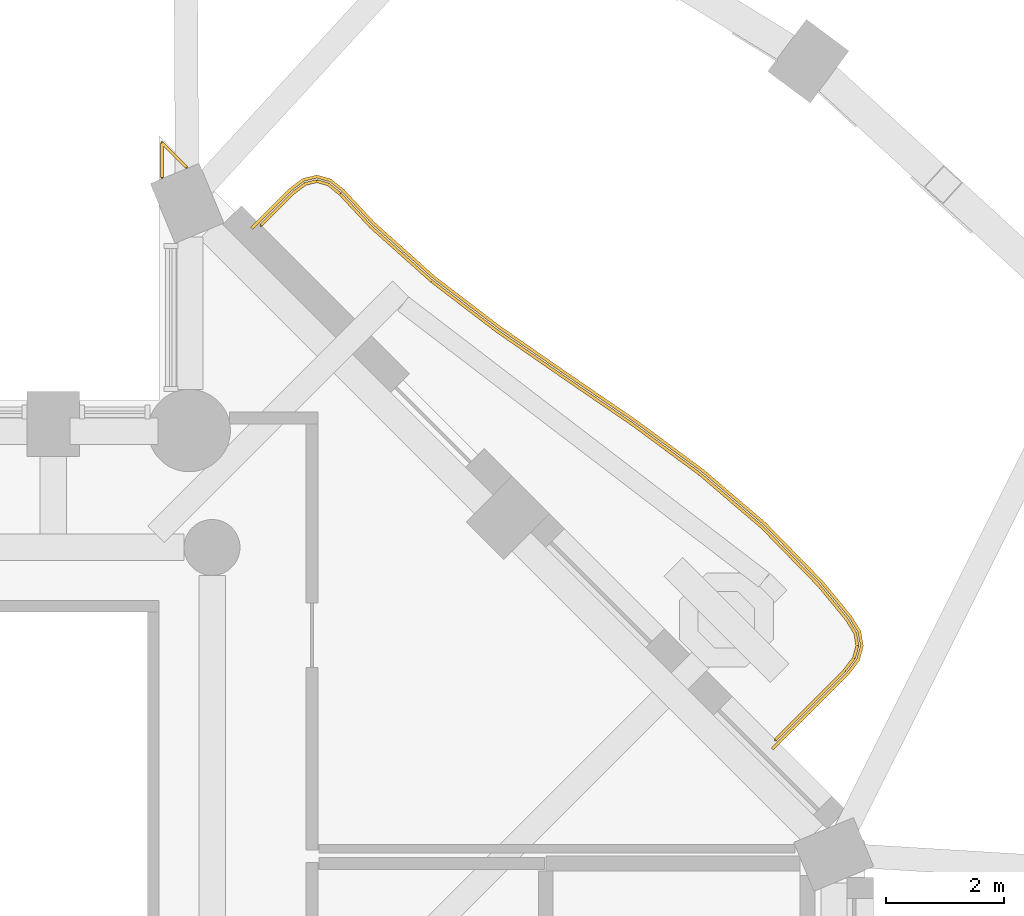
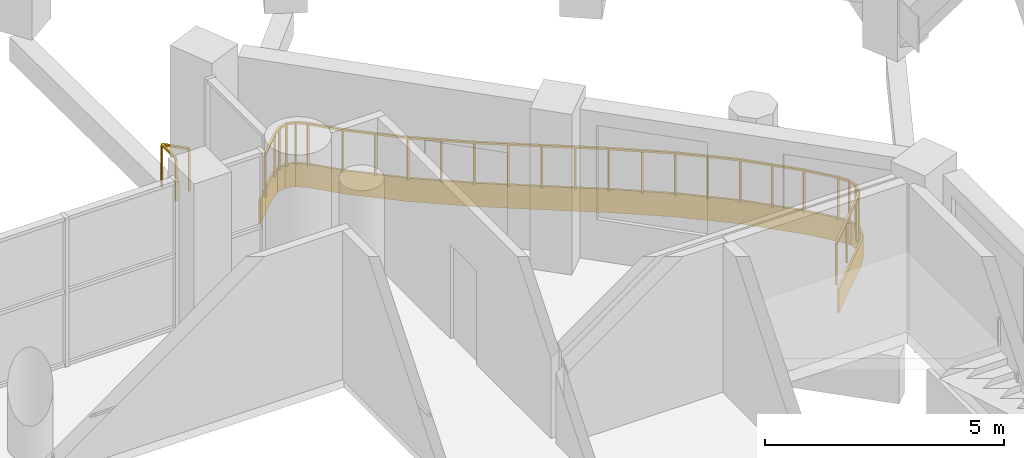
# One storey, part 16 of 17: 2 railings, 1 covering.
"""IFC4 building model written with IfcOpenShell, lengths in metres."""

from ifc_helpers import new_model, si_unit, direction, frame, origin, origin_2d, place, context, subcontext, project, spatial, polyline, rectangle, outline, extrude, material, layer, layer_set, type_object, element, save


model = new_model("IFC4")

# Units and contexts
model_context = context("Model", 3, precision=1e-05, world=origin(), true_north=direction((0.0, 1.0)))
body_context = subcontext(model_context, "Body", "Model", "MODEL_VIEW")
ifc_project = project(units=[si_unit("LENGTHUNIT", "METRE"), si_unit("AREAUNIT", "SQUARE_METRE"), si_unit("VOLUMEUNIT", "CUBIC_METRE"), si_unit("PLANEANGLEUNIT", "RADIAN"), si_unit("MASSUNIT", "GRAM", prefix="KILO")], contexts=[model_context])

# Site, building, storey
site_placement = place(None, origin())
site = spatial("IfcSite", under=ifc_project, at=site_placement, CompositionType="ELEMENT")
building_placement = place(site_placement, origin())
building = spatial("IfcBuilding", under=site, at=building_placement, Name="Cypress Arch Tower", CompositionType="ELEMENT")
storey_placement = place(building_placement, frame((0.0, 0.0, 217.89990234375)))
storey = spatial("IfcBuildingStorey", under=building, at=storey_placement, Name="L48", CompositionType="ELEMENT", Elevation=217.89990234375)

# Covering
ifc_material_1 = material(Name="White powder-coated aluminium fascia", Category="aluminium")
ifc_layer = layer(ifc_material_1, 0.050048828125)
ifc_layer_set = layer_set([ifc_layer], Name="Balcony fascia BF50")
covering_type = type_object("IfcCoveringType", Name="Balcony fascia BF50", PredefinedType="CLADDING", material=ifc_layer_set)
covering_placement = place(storey_placement, frame((0.0, 0.0, -0.599853515625)))
element("IfcCovering", 1, at=covering_placement, inside=storey, type_object=covering_type, Name="Balcony fascia L48-B05", PredefinedType="CLADDING", context=body_context, shape_type="SweptSolid", body=[
    extrude(outline(polyline([(10.3125, 16.10107421875), (10.543212890625, 16.27392578125), (10.783447265625, 16.331787109375), (11.021484375, 16.265625), (11.24609375, 16.0849609375), (11.76708984375, 15.5263671875), (12.798828125, 14.604248046875), (13.907470703125, 13.758056640625), (15.064208984375, 12.956787109375), (16.22802734375, 12.159912109375), (17.35693359375, 11.325439453125), (18.416259765625, 10.419677734375), (19.387939453125, 9.42578125), (19.87744140625, 8.829345703125), (20.030517578125, 8.578857421875), (20.0751953125, 8.323974609375), (20.005615234375, 8.07470703125), (19.828857421875, 7.840087890625), (18.545166015625, 6.556396484375), (18.509765625, 6.591796875), (19.791015625, 7.873046875), (19.9599609375, 8.09716796875), (20.02392578125, 8.326416015625), (19.98291015625, 8.560791015625), (19.836669921875, 8.80029296875), (19.350830078125, 9.392333984375), (18.382080078125, 10.38330078125), (17.32568359375, 11.286376953125), (16.198974609375, 12.119140625), (15.035888671875, 12.91552734375), (13.878173828125, 13.717529296875), (12.766845703125, 14.565673828125), (11.732177734375, 15.490478515625), (11.2119140625, 16.048095703125), (10.998291015625, 16.22021484375), (10.782470703125, 16.280029296875), (10.56494140625, 16.227783203125), (10.34521484375, 16.063232421875), (9.691650390625, 15.40966796875), (9.65625, 15.445068359375), (10.3125, 16.10107421875)])), origin(), (0.0, 0.0, 1.0), 0.599853515625),
])

# Railings
ifc_material_2 = material(Name="Powder-coated steel posts and rods, 100 mm clear between rods", Category="steel")
railing_type_1 = type_object("IfcRailingType", Name="Balcony guard GR1100", PredefinedType="GUARDRAIL", material=ifc_material_2)
railing_1_placement = place(storey_placement, frame((9.83251953125, 15.479736328125, 0.0)))
element("IfcRailing", 2, at=railing_1_placement, inside=storey, type_object=railing_type_1, Name="Balcony guard L48-B05", PredefinedType="GUARDRAIL", context=body_context, shape_type="SweptSolid", body=[
    extrude(rectangle(XDim=0.050048828125, YDim=0.050048828125, at=origin_2d()), frame((0.0, 0.0, 1.0751953125), z_axis=(0.707106781187, 0.707106781187, 0.0), x_axis=(-0.707106781187, 0.707106781187, 0.0)), (0.0, 0.0, 1.0), 0.771728515625),
    extrude(rectangle(XDim=0.050048828125, YDim=0.050048828125, at=origin_2d()), frame((0.545654296875, 0.545654296875, 1.0751953125), z_axis=(0.800224831347, 0.599700107801, 0.0), x_axis=(-0.599700107801, 0.800224831347, 0.0)), (0.0, 0.0, 1.0), 0.260498046875),
    extrude(rectangle(XDim=0.050048828125, YDim=0.050048828125, at=origin_2d()), frame((0.754150390625, 0.701904296875, 1.0751953125), z_axis=(0.972320985602, 0.233649097917, 0.0), x_axis=(-0.233649097917, 0.972320985602, 0.0)), (0.0, 0.0, 1.0), 0.20068359375),
    extrude(rectangle(XDim=0.050048828125, YDim=0.050048828125, at=origin_2d()), frame((0.94921875, 0.748779296875, 1.0751953125), z_axis=(0.96343060982, -0.267957944577, 0.0), x_axis=(0.267957944577, 0.96343060982, 0.0)), (0.0, 0.0, 1.0), 0.200439453125),
    extrude(rectangle(XDim=0.050048828125, YDim=0.050048828125, at=origin_2d()), frame((1.142333984375, 0.695068359375, 1.0751953125), z_axis=(0.778944678314, -0.627092647163, 0.0), x_axis=(0.627092647163, 0.778944678314, 0.0)), (0.0, 0.0, 1.0), 0.260498046875),
    extrude(rectangle(XDim=0.050048828125, YDim=0.050048828125, at=origin_2d()), frame((1.34521484375, 0.53173828125, 1.0751953125), z_axis=(0.682146831614, -0.731215221476, 0.0), x_axis=(0.731215221476, 0.682146831614, 0.0)), (0.0, 0.0, 1.0), 0.76123046875),
    extrude(rectangle(XDim=0.050048828125, YDim=0.050048828125, at=origin_2d()), frame((1.864501953125, -0.02490234375, 1.0751953125), z_axis=(0.745548557465, -0.666451309896, 0.0), x_axis=(0.666451309896, 0.745548557465, 0.0)), (0.0, 0.0, 1.0), 1.39208984375),
    extrude(rectangle(XDim=0.050048828125, YDim=0.050048828125, at=origin_2d()), frame((2.90234375, -0.95263671875, 1.0751953125), z_axis=(0.794911438405, -0.606725477537, 0.0), x_axis=(0.606725477537, 0.794911438405, 0.0)), (0.0, 0.0, 1.0), 1.401123046875),
    extrude(rectangle(XDim=0.050048828125, YDim=0.050048828125, at=origin_2d()), frame((4.01611328125, -1.802734375, 1.0751953125), z_axis=(0.822142309198, -0.569282024507, 0.0), x_axis=(0.569282024507, 0.822142309198, 0.0)), (0.0, 0.0, 1.0), 1.40966796875),
    extrude(rectangle(XDim=0.050048828125, YDim=0.050048828125, at=origin_2d()), frame((5.175048828125, -2.605224609375, 1.0751953125), z_axis=(0.825107417797, -0.564975883642, 0.0), x_axis=(0.564975883642, 0.825107417797, 0.0)), (0.0, 0.0, 1.0), 1.40869140625),
    extrude(rectangle(XDim=0.050048828125, YDim=0.050048828125, at=origin_2d()), frame((6.33740234375, -3.401123046875, 1.0751953125), z_axis=(0.804128971664, -0.594454873755, 0.0), x_axis=(0.594454873755, 0.804128971664, 0.0)), (0.0, 0.0, 1.0), 1.3984375),
    extrude(rectangle(XDim=0.050048828125, YDim=0.050048828125, at=origin_2d()), frame((7.4619140625, -4.232421875, 1.0751953125), z_axis=(0.760089068145, -0.649818904377, 0.0), x_axis=(0.649818904377, 0.760089068145, 0.0)), (0.0, 0.0, 1.0), 1.385986328125),
    extrude(rectangle(XDim=0.050048828125, YDim=0.050048828125, at=origin_2d()), frame((8.515380859375, -5.133056640625, 1.0751953125), z_axis=(0.69901923634, -0.715102864787, 0.0), x_axis=(0.715102864787, 0.69901923634, 0.0)), (0.0, 0.0, 1.0), 1.38134765625),
    extrude(rectangle(XDim=0.050048828125, YDim=0.050048828125, at=origin_2d()), frame((9.48095703125, -6.120849609375, 1.0751953125), z_axis=(0.634479055615, -0.772940054587, 0.0), x_axis=(0.772940054587, 0.634479055615, 0.0)), (0.0, 0.0, 1.0), 0.760009765625),
    extrude(rectangle(XDim=0.050048828125, YDim=0.050048828125, at=origin_2d()), frame((9.963134765625, -6.708251953125, 1.0751953125), z_axis=(0.521450009454, -0.853281833652, 0.0), x_axis=(0.853281833652, 0.521450009454, 0.0)), (0.0, 0.0, 1.0), 0.267822265625),
    extrude(rectangle(XDim=0.050048828125, YDim=0.050048828125, at=origin_2d()), frame((10.102783203125, -6.936767578125, 1.0751953125), z_axis=(0.172952392848, -0.984930185246, 0.0), x_axis=(0.984930185246, 0.172952392848, 0.0)), (0.0, 0.0, 1.0), 0.21728515625),
    extrude(rectangle(XDim=0.050048828125, YDim=0.050048828125, at=origin_2d()), frame((10.140380859375, -7.15087890625, 1.0751953125), z_axis=(-0.268629211783, -0.963243658986, 0.0), x_axis=(0.963243658986, -0.268629211783, 0.0)), (0.0, 0.0, 1.0), 0.21728515625),
    extrude(rectangle(XDim=0.050048828125, YDim=0.050048828125, at=origin_2d()), frame((10.08203125, -7.360107421875, 1.0751953125), z_axis=(-0.602768585985, -0.797916055578, 0.0), x_axis=(0.797916055578, -0.602768585985, 0.0)), (0.0, 0.0, 1.0), 0.267822265625),
    extrude(rectangle(XDim=0.050048828125, YDim=0.050048828125, at=origin_2d()), frame((9.920654296875, -7.57373046875, 1.0751953125), z_axis=(-0.707033220014, -0.707180334708, 0.0), x_axis=(0.707180334708, -0.707033220014, 0.0)), (0.0, 0.0, 1.0), 1.659423828125),
    extrude(rectangle(XDim=0.0400390625, YDim=0.0400390625, at=origin_2d()), origin(), (0.0, 0.0, 1.0), 1.050048828125),
    extrude(rectangle(XDim=0.0400390625, YDim=0.0400390625, at=origin_2d()), frame((0.545654296875, 0.545654296875, 0.0)), (0.0, 0.0, 1.0), 1.050048828125),
    extrude(rectangle(XDim=0.0400390625, YDim=0.0400390625, at=origin_2d()), frame((0.754150390625, 0.701904296875, 0.0)), (0.0, 0.0, 1.0), 1.050048828125),
    extrude(rectangle(XDim=0.0400390625, YDim=0.0400390625, at=origin_2d()), frame((0.94921875, 0.748779296875, 0.0)), (0.0, 0.0, 1.0), 1.050048828125),
    extrude(rectangle(XDim=0.0400390625, YDim=0.0400390625, at=origin_2d()), frame((1.142333984375, 0.695068359375, 0.0)), (0.0, 0.0, 1.0), 1.050048828125),
    extrude(rectangle(XDim=0.0400390625, YDim=0.0400390625, at=origin_2d()), frame((1.34521484375, 0.53173828125, 0.0)), (0.0, 0.0, 1.0), 1.050048828125),
    extrude(rectangle(XDim=0.0400390625, YDim=0.0400390625, at=origin_2d()), frame((1.864501953125, -0.02490234375, 0.0)), (0.0, 0.0, 1.0), 1.050048828125),
    extrude(rectangle(XDim=0.0400390625, YDim=0.0400390625, at=origin_2d()), frame((2.38330078125, -0.48876953125, 0.0)), (0.0, 0.0, 1.0), 1.050048828125),
    extrude(rectangle(XDim=0.0400390625, YDim=0.0400390625, at=origin_2d()), frame((2.90234375, -0.95263671875, 0.0)), (0.0, 0.0, 1.0), 1.050048828125),
    extrude(rectangle(XDim=0.0400390625, YDim=0.0400390625, at=origin_2d()), frame((3.459228515625, -1.377685546875, 0.0)), (0.0, 0.0, 1.0), 1.050048828125),
    extrude(rectangle(XDim=0.0400390625, YDim=0.0400390625, at=origin_2d()), frame((4.01611328125, -1.802734375, 0.0)), (0.0, 0.0, 1.0), 1.050048828125),
    extrude(rectangle(XDim=0.0400390625, YDim=0.0400390625, at=origin_2d()), frame((4.595703125, -2.2041015625, 0.0)), (0.0, 0.0, 1.0), 1.050048828125),
    extrude(rectangle(XDim=0.0400390625, YDim=0.0400390625, at=origin_2d()), frame((5.175048828125, -2.605224609375, 0.0)), (0.0, 0.0, 1.0), 1.050048828125),
    extrude(rectangle(XDim=0.0400390625, YDim=0.0400390625, at=origin_2d()), frame((5.75634765625, -3.003173828125, 0.0)), (0.0, 0.0, 1.0), 1.050048828125),
    extrude(rectangle(XDim=0.0400390625, YDim=0.0400390625, at=origin_2d()), frame((6.33740234375, -3.401123046875, 0.0)), (0.0, 0.0, 1.0), 1.050048828125),
    extrude(rectangle(XDim=0.0400390625, YDim=0.0400390625, at=origin_2d()), frame((6.899658203125, -3.81689453125, 0.0)), (0.0, 0.0, 1.0), 1.050048828125),
    extrude(rectangle(XDim=0.0400390625, YDim=0.0400390625, at=origin_2d()), frame((7.4619140625, -4.232421875, 0.0)), (0.0, 0.0, 1.0), 1.050048828125),
    extrude(rectangle(XDim=0.0400390625, YDim=0.0400390625, at=origin_2d()), frame((7.98876953125, -4.6826171875, 0.0)), (0.0, 0.0, 1.0), 1.050048828125),
    extrude(rectangle(XDim=0.0400390625, YDim=0.0400390625, at=origin_2d()), frame((8.515380859375, -5.133056640625, 0.0)), (0.0, 0.0, 1.0), 1.050048828125),
    extrude(rectangle(XDim=0.0400390625, YDim=0.0400390625, at=origin_2d()), frame((8.998046875, -5.626953125, 0.0)), (0.0, 0.0, 1.0), 1.050048828125),
    extrude(rectangle(XDim=0.0400390625, YDim=0.0400390625, at=origin_2d()), frame((9.48095703125, -6.120849609375, 0.0)), (0.0, 0.0, 1.0), 1.050048828125),
    extrude(rectangle(XDim=0.0400390625, YDim=0.0400390625, at=origin_2d()), frame((9.963134765625, -6.708251953125, 0.0)), (0.0, 0.0, 1.0), 1.050048828125),
    extrude(rectangle(XDim=0.0400390625, YDim=0.0400390625, at=origin_2d()), frame((10.102783203125, -6.936767578125, 0.0)), (0.0, 0.0, 1.0), 1.050048828125),
    extrude(rectangle(XDim=0.0400390625, YDim=0.0400390625, at=origin_2d()), frame((10.140380859375, -7.15087890625, 0.0)), (0.0, 0.0, 1.0), 1.050048828125),
    extrude(rectangle(XDim=0.0400390625, YDim=0.0400390625, at=origin_2d()), frame((10.08203125, -7.360107421875, 0.0)), (0.0, 0.0, 1.0), 1.050048828125),
    extrude(rectangle(XDim=0.0400390625, YDim=0.0400390625, at=origin_2d()), frame((9.920654296875, -7.57373046875, 0.0)), (0.0, 0.0, 1.0), 1.050048828125),
    extrude(rectangle(XDim=0.0400390625, YDim=0.0400390625, at=origin_2d()), frame((9.333984375, -8.16064453125, 0.0)), (0.0, 0.0, 1.0), 1.050048828125),
    extrude(rectangle(XDim=0.0400390625, YDim=0.0400390625, at=origin_2d()), frame((8.747314453125, -8.747314453125, 0.0)), (0.0, 0.0, 1.0), 1.050048828125),
])
ifc_material_3 = material(Name="Powder-coated steel posts and rods, 100 mm clear between rods", Category="steel")
railing_type_2 = type_object("IfcRailingType", Name="Corner guard GR1100C", PredefinedType="GUARDRAIL", material=ifc_material_3)
railing_2_placement = place(storey_placement, frame((8.14990234375, 16.290771484375, 0.0)))
element("IfcRailing", 3, at=railing_2_placement, inside=storey, type_object=railing_type_2, Name="Corner guard L48 7", PredefinedType="GUARDRAIL", context=body_context, shape_type="SweptSolid", body=[
    extrude(rectangle(XDim=0.050048828125, YDim=0.050048828125, at=origin_2d()), frame((0.0, 0.0, 1.0751953125), z_axis=(0.0, 1.0, 0.0), x_axis=(-1.0, 0.0, 0.0)), (0.0, 0.0, 1.0), 0.588623046875),
    extrude(rectangle(XDim=0.050048828125, YDim=0.050048828125, at=origin_2d()), frame((0.0, 0.588623046875, 1.0751953125), z_axis=(0.707106781187, -0.707106781187, 0.0), x_axis=(0.707106781187, 0.707106781187, 0.0)), (0.0, 0.0, 1.0), 0.588623046875),
    extrude(rectangle(XDim=0.0400390625, YDim=0.0400390625, at=origin_2d()), origin(), (0.0, 0.0, 1.0), 1.050048828125),
    extrude(rectangle(XDim=0.0400390625, YDim=0.0400390625, at=origin_2d()), frame((0.0, 0.588623046875, 0.0)), (0.0, 0.0, 1.0), 1.050048828125),
    extrude(rectangle(XDim=0.0400390625, YDim=0.0400390625, at=origin_2d()), frame((0.416259765625, 0.17236328125, 0.0)), (0.0, 0.0, 1.0), 1.050048828125),
])

save(model, "model.ifc")
